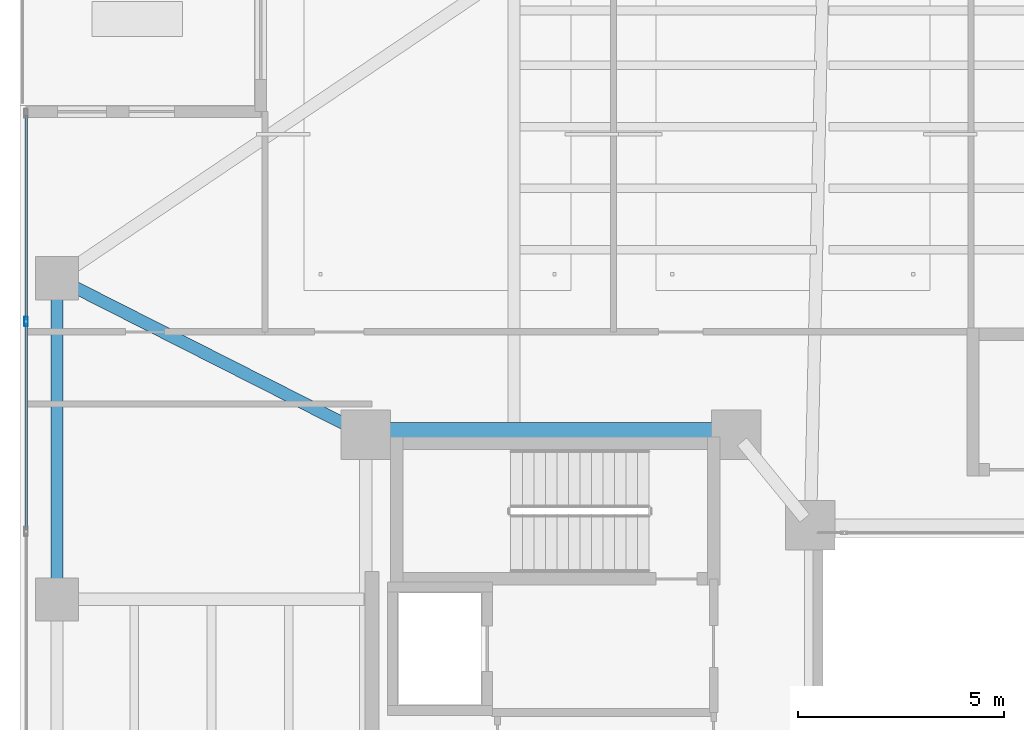
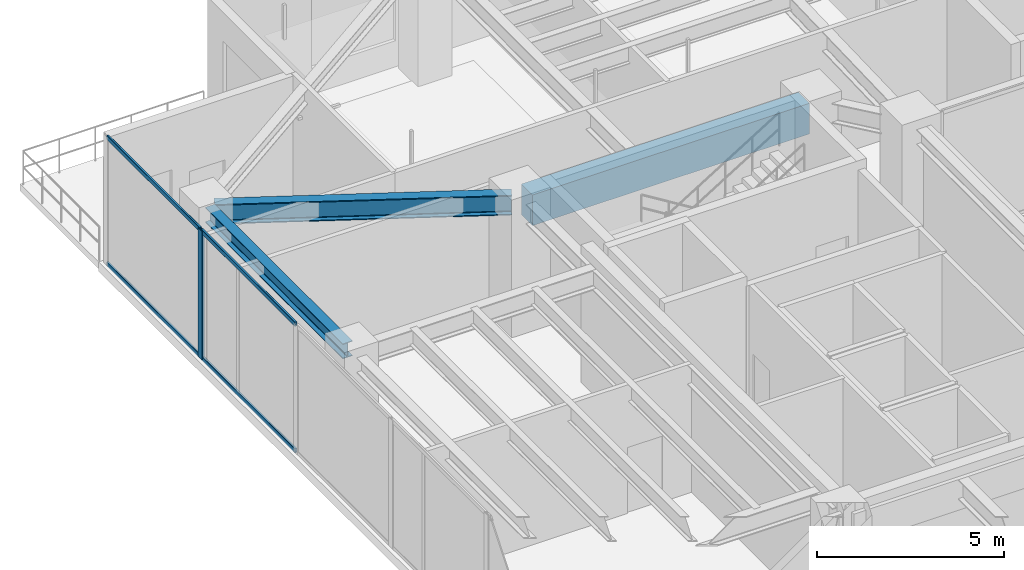
# One storey, part 19 of 38: 5 members, 3 beams, 1 element without a shape of its own.
"""IFC4 building model written with IfcOpenShell, lengths in metres."""

import ifcopenshell
import ifcopenshell.guid

model = None  # the IFC model being written
_history = None  # IfcOwnerHistory: only IFC2X3 demands one
_inside = {}  # id of a spatial element -> (the spatial element, [elements in it])
_under = {}  # id of a project, library or spatial element -> (it, [spatial elements below it])
_declared = {}  # id of a project -> (the project, [libraries it declares])
_typed = {}  # id of a type object -> (the type object, [elements of that type])
_made_of = {}  # id of a material, layer set ... -> (it, [elements and type objects made of it])


def new_model(schema):
    """Start an empty IFC model of exactly this schema.

    Asked for "IFC4X3", IfcOpenShell would pick the latest addendum, in which some entities
    have other attributes; the version numbers below select the first issue.
    IFC2X3 requires an IfcOwnerHistory on every rooted entity: one is made here for all.
    """
    global model, _history
    if schema == "IFC4X3":
        model = ifcopenshell.file(schema_version=(4, 3, 0, 0))
    else:
        model = ifcopenshell.file(schema=schema)
    _inside.clear()
    _under.clear()
    _declared.clear()
    _typed.clear()
    _made_of.clear()
    _history = None
    if model.schema == "IFC2X3":
        org = make("IfcOrganization", Name="unknown")
        user = make(
            "IfcPersonAndOrganization",
            ThePerson=make("IfcPerson", FamilyName="unknown"),
            TheOrganization=org,
        )
        app = make(
            "IfcApplication",
            ApplicationDeveloper=org,
            Version="unknown",
            ApplicationFullName="unknown",
            ApplicationIdentifier="unknown",
        )
        _history = make(
            "IfcOwnerHistory",
            OwningUser=user,
            OwningApplication=app,
            ChangeAction="ADDED",
            CreationDate=0,
        )
    return model


def make(cls, **values):
    """One entity of the class cls with the attributes given. An attribute that is None is left unset."""
    return model.create_entity(
        cls, **{name: value for name, value in values.items() if value is not None}
    )


def rooted(cls, **values):
    """An entity with a GlobalId (a new one), such as an element, a storey or a relation."""
    return make(cls, GlobalId=ifcopenshell.guid.new(), OwnerHistory=_history, **values)


def si_unit(unit_type, name, prefix=None):
    """IfcSIUnit, for example si_unit("LENGTHUNIT", "METRE", prefix="MILLI")."""
    return make("IfcSIUnit", UnitType=unit_type, Prefix=prefix, Name=name)


def assignment(units):
    """IfcUnitAssignment: the units of a project."""
    return None if units is None else make("IfcUnitAssignment", Units=units)


def point(xyz):
    """IfcCartesianPoint."""
    return None if xyz is None else make("IfcCartesianPoint", Coordinates=xyz)


def direction(xyz):
    """IfcDirection."""
    return None if xyz is None else make("IfcDirection", DirectionRatios=xyz)


def frame(location, z_axis=None, x_axis=None):
    """IfcAxis2Placement3D, a coordinate frame: its origin and axes. An axis left out is left unset."""
    return make(
        "IfcAxis2Placement3D",
        Location=point(location),
        Axis=direction(z_axis),
        RefDirection=direction(x_axis),
    )


def frame_2d(location, x_axis=None):
    """IfcAxis2Placement2D, a coordinate frame in the plane: its origin and x axis."""
    return make(
        "IfcAxis2Placement2D", Location=point(location), RefDirection=direction(x_axis)
    )


def origin():
    """The frame at (0, 0, 0) with its axes left unset."""
    return frame((0.0, 0.0, 0.0))


def origin_2d():
    """The frame at (0, 0) in the plane with its x axis left unset."""
    return frame_2d((0.0, 0.0))


def place(relative_to, where):
    """IfcLocalPlacement: puts the frame where relative to a parent placement (None: the world)."""
    return make(
        "IfcLocalPlacement", PlacementRelTo=relative_to, RelativePlacement=where
    )


def context(
    kind, dimensions, precision=None, world=None, true_north=None, identifier=None
):
    """IfcGeometricRepresentationContext, for example the 3D "Model" context."""
    return make(
        "IfcGeometricRepresentationContext",
        ContextIdentifier=identifier,
        ContextType=kind,
        CoordinateSpaceDimension=dimensions,
        Precision=precision,
        WorldCoordinateSystem=world,
        TrueNorth=true_north,
    )


def subcontext(parent, identifier, kind, view, scale=None):
    """IfcGeometricRepresentationSubContext, for example "Body" below "Model"."""
    return make(
        "IfcGeometricRepresentationSubContext",
        ContextIdentifier=identifier,
        ContextType=kind,
        ParentContext=parent,
        TargetScale=scale,
        TargetView=view,
    )


def project(units=None, contexts=None):
    """IfcProject with its units and contexts."""
    return rooted(
        "IfcProject",
        Name="project",
        RepresentationContexts=contexts,
        UnitsInContext=assignment(units),
    )


def spatial(cls, under=None, at=None, **own):
    """A site, building, storey or space (cls), placed at a placement, below another one or the project."""
    s = rooted(cls, ObjectPlacement=at, **own)
    if under is not None:
        _under.setdefault(under.id(), (under, []))[1].append(s)
    return s


def profile(cls, at=None, kind="AREA", **sizes):
    """A parametric profile (cls). Its sizes go by their IFC names, for example OverallWidth=200.0."""
    return make(cls, ProfileType=kind, Position=at, **sizes)


def rectangle(**sizes):
    """IfcRectangleProfileDef."""
    return profile("IfcRectangleProfileDef", **sizes)


def hollow_rectangle(**sizes):
    """IfcRectangleHollowProfileDef."""
    return profile("IfcRectangleHollowProfileDef", **sizes)


def i_section(**sizes):
    """IfcIShapeProfileDef."""
    return profile("IfcIShapeProfileDef", **sizes)


def extrude(swept, where, along, depth):
    """IfcExtrudedAreaSolid: the profile swept, set in the frame where, extruded along a direction by depth."""
    return make(
        "IfcExtrudedAreaSolid",
        SweptArea=swept,
        Position=where,
        ExtrudedDirection=direction(along),
        Depth=depth,
    )


def shape(context_of_items, identifier, shape_type, items):
    """IfcShapeRepresentation: the items that make up one representation, for example the "Body"."""
    return make(
        "IfcShapeRepresentation",
        ContextOfItems=context_of_items,
        RepresentationIdentifier=identifier,
        RepresentationType=shape_type,
        Items=items,
    )


def material(Name=None, Category=None):
    """IfcMaterial."""
    return make("IfcMaterial", Name=Name, Category=Category)


def layer(
    of_material, thickness, ventilated=None, Name=None, Category=None, Priority=None
):
    """IfcMaterialLayer: one layer of a wall or slab, of a material (None: an air gap)."""
    return make(
        "IfcMaterialLayer",
        Material=of_material,
        LayerThickness=thickness,
        IsVentilated=ventilated,
        Name=Name,
        Category=Category,
        Priority=Priority,
    )


def layer_set(layers, Name=None):
    """IfcMaterialLayerSet."""
    return make("IfcMaterialLayerSet", MaterialLayers=layers, LayerSetName=Name)


def material_profile(
    of_material, cross_section, Name=None, Category=None, Priority=None
):
    """IfcMaterialProfile: a cross section and its material."""
    return make(
        "IfcMaterialProfile",
        Name=Name,
        Material=of_material,
        Profile=cross_section,
        Priority=Priority,
        Category=Category,
    )


def profile_set(profiles, Name=None, composite=None):
    """IfcMaterialProfileSet."""
    return make(
        "IfcMaterialProfileSet",
        Name=Name,
        MaterialProfiles=profiles,
        CompositeProfile=composite,
    )


def made_of(thing, what):
    """Note that an element or type object is made of a material, layer set ...; save() writes the relation."""
    if what is not None:
        _made_of.setdefault(what.id(), (what, []))[1].append(thing)
    return thing


def type_object(cls, material=None, **own):
    """A type object (cls), such as IfcWallType, which elements share."""
    return made_of(rooted(cls, **own), material)


def element(
    cls,
    number,
    at=None,
    inside=None,
    cuts=None,
    type_object=None,
    material=None,
    context=None,
    identifier="Body",
    shape_type=None,
    held_by="IfcProductDefinitionShape",
    body=None,
    shapes=None,
    **own,
):
    """One element of the class cls, such as IfcWall. Its Tag is "e" and its number.

    at: its placement. inside: the storey or other place that contains it. cuts: it is an
    opening in that element (IfcRelVoidsElement). A single representation is given by context,
    identifier, shape_type and body (its items); several are given by shapes. held_by: the class
    of the entity that holds the representations. save() writes the other relations.
    """
    e = rooted(cls, Tag="e%d" % number, ObjectPlacement=at, **own)
    if body is not None:
        shapes = [shape(context, identifier, shape_type, body)]
    if shapes is not None:
        e.Representation = make(held_by, Representations=shapes)
    if inside is not None:
        _inside.setdefault(inside.id(), (inside, []))[1].append(e)
    if cuts is not None:
        rooted(
            "IfcRelVoidsElement", RelatingBuildingElement=cuts, RelatedOpeningElement=e
        )
    if type_object is not None:
        _typed.setdefault(type_object.id(), (type_object, []))[1].append(e)
    return made_of(e, material)


def aggregate(whole, parts):
    """IfcRelAggregates: a whole, such as a stair, and the parts it consists of."""
    return rooted("IfcRelAggregates", RelatingObject=whole, RelatedObjects=parts)


def save(model, path):
    """Write the relations noted so far, then the file.

    IfcRelAggregates (storeys below a building ...), IfcRelContainedInSpatialStructure (elements
    in a storey), IfcRelDefinesByType, IfcRelAssociatesMaterial and IfcRelDeclares: one each for
    every whole, place, type object, material and project.
    """
    for whole, parts in _under.values():
        aggregate(whole, parts)
    for where, things in _inside.values():
        rooted(
            "IfcRelContainedInSpatialStructure",
            RelatedElements=things,
            RelatingStructure=where,
        )
    for kind, things in _typed.values():
        rooted("IfcRelDefinesByType", RelatedObjects=things, RelatingType=kind)
    for what, things in _made_of.values():
        rooted("IfcRelAssociatesMaterial", RelatedObjects=things, RelatingMaterial=what)
    for by, libraries in _declared.values():
        rooted("IfcRelDeclares", RelatingContext=by, RelatedDefinitions=libraries)
    model.write(path)


model = new_model("IFC4")

# Units and contexts
model_context = context("Model", 3, precision=1e-05, world=origin(), true_north=direction((0.0, 1.0)))
body_context = subcontext(model_context, "Body", "Model", "MODEL_VIEW")
ifc_project = project(units=[si_unit("LENGTHUNIT", "METRE"), si_unit("AREAUNIT", "SQUARE_METRE"), si_unit("VOLUMEUNIT", "CUBIC_METRE"), si_unit("PLANEANGLEUNIT", "RADIAN"), si_unit("MASSUNIT", "GRAM", prefix="KILO")], contexts=[model_context])

# Site, building, storey
site_placement = place(None, origin())
site = spatial("IfcSite", under=ifc_project, at=site_placement, CompositionType="ELEMENT")
building_placement = place(site_placement, origin())
building = spatial("IfcBuilding", under=site, at=building_placement, Name="Tarnavaz Court Tower", CompositionType="ELEMENT")
storey_placement = place(building_placement, frame((0.0, 0.0, 123.0)))
storey = spatial("IfcBuildingStorey", under=building, at=storey_placement, Name="L33", CompositionType="ELEMENT", Elevation=123.0)

# Beams
ifc_material_1 = material(Name="Concrete C60/75", Category="concrete")
ifc_material_profile_1 = material_profile(ifc_material_1, rectangle(XDim=0.60009765625, YDim=1.0, at=origin_2d()), Name="RC 600X1000")
ifc_profile_set_1 = profile_set([ifc_material_profile_1], Name="Concrete C60/75")
beam_type_1 = type_object("IfcBeamType", Name="BM-CB1000", PredefinedType="LINTEL", material=ifc_profile_set_1)
beam_1_placement = place(storey_placement, frame((-18.3798828125, 10.0, 3.699951171875), z_axis=(1.0, 0.0, 0.0), x_axis=(0.0, 1.0, 0.0)))
element("IfcBeam", 1, at=beam_1_placement, inside=storey, type_object=beam_type_1, Name="L33 Beam IN-CW-NO-CW-NI", PredefinedType="LINTEL", context=body_context, shape_type="SweptSolid", body=[
    extrude(rectangle(XDim=0.60009765625, YDim=1.0, at=origin_2d()), origin(), (0.0, 0.0, 1.0), 8.559814453125),
])
ifc_material_2 = material(Name="Steel S355", Category="steel")
ifc_material_profile_2 = material_profile(ifc_material_2, i_section(OverallWidth=0.300048828125, OverallDepth=0.64990234375, WebThickness=0.01611328125, FlangeThickness=0.031005859375, FilletRadius=0.027099609375, at=origin_2d()), Name="HEB 650")
ifc_profile_set_2 = profile_set([ifc_material_profile_2], Name="Steel S355")
beam_type_2 = type_object("IfcBeamType", Name="BM-G-HEB650", PredefinedType="USERDEFINED", material=ifc_profile_set_2)
beam_2_placement = place(storey_placement, frame((-18.796142578125, 10.099365234375, 3.875), z_axis=(-0.892030669981, 0.451974870776, 0.0), x_axis=(-0.451974870776, -0.892030669981, 0.0)))
element("IfcBeam", 2, at=beam_2_placement, inside=storey, type_object=beam_type_2, Name="L33 Beam RG-16", ObjectType="GIRDER", PredefinedType="USERDEFINED", context=body_context, shape_type="SweptSolid", body=[
    extrude(i_section(OverallWidth=0.300048828125, OverallDepth=0.64990234375, WebThickness=0.01611328125, FlangeThickness=0.031005859375, FilletRadius=0.027099609375, at=origin_2d()), origin(), (0.0, 0.0, 1.0), 7.968017578125),
])
ifc_material_profile_3 = material_profile(ifc_material_2, i_section(OverallWidth=0.300048828125, OverallDepth=0.489990234375, WebThickness=0.011962890625, FlangeThickness=0.02294921875, FilletRadius=0.027099609375, at=origin_2d()), Name="HEA 500")
ifc_profile_set_3 = profile_set([ifc_material_profile_3], Name="Steel S355")
beam_type_3 = type_object("IfcBeamType", Name="BM-SP-HEA500", PredefinedType="SPANDREL", material=ifc_profile_set_3)
beam_3_placement = place(storey_placement, frame((-26.10009765625, 6.219970703125, 3.955078125), z_axis=(0.0, 1.0, 0.0), x_axis=(-1.0, 0.0, 0.0)))
element("IfcBeam", 3, at=beam_3_placement, inside=storey, type_object=beam_type_3, Name="L33 Beam PR-PW-3-PW-4", PredefinedType="SPANDREL", context=body_context, shape_type="SweptSolid", body=[
    extrude(i_section(OverallWidth=0.300048828125, OverallDepth=0.489990234375, WebThickness=0.011962890625, FlangeThickness=0.02294921875, FilletRadius=0.027099609375, at=origin_2d()), origin(), (0.0, 0.0, 1.0), 7.360107421875),
])

# Curtain wall, members
ifc_material_3 = material(Name="Anodised Aluminium 6063-T6 and Solar Low-E Glazing", Category="aluminium")
ifc_layer = layer(ifc_material_3, 0.199951171875)
ifc_layer_set = layer_set([ifc_layer], Name="Anodised Aluminium 6063-T6 and Solar Low-E Glazing")
curtain_wall_type = type_object("IfcCurtainWallType", Name="CW-SYS-05", PredefinedType="NOTDEFINED", material=ifc_layer_set)
curtain_wall_placement = place(storey_placement, origin())
curtain_wall = element("IfcCurtainWall", 4, at=curtain_wall_placement, inside=storey, type_object=curtain_wall_type, Name="L33 Sky-Portal Curtain Wall 2", PredefinedType="NOTDEFINED")
ifc_material_4 = material(Name="Anodised Aluminium 6063-T6", Category="aluminium")
ifc_material_profile_4 = material_profile(ifc_material_4, hollow_rectangle(XDim=0.0849609375, YDim=0.219970703125, WallThickness=0.006103515625, InnerFilletRadius=0.006103515625, OuterFilletRadius=0.011962890625, at=origin_2d()), Name="ALU RHS 220X85X6")
ifc_profile_set_4 = profile_set([ifc_material_profile_4], Name="Anodised Aluminium 6063-T6")
member_type_1 = type_object("IfcMemberType", Name="CW-MUL-220", PredefinedType="MULLION", material=ifc_profile_set_4)
member_1_placement = place(storey_placement, frame((-26.85009765625, 12.75, 0.0), z_axis=(0.0, 0.0, 1.0), x_axis=(-1.0, 0.0, 0.0)))
member_1 = element("IfcMember", 5, at=member_1_placement, type_object=member_type_1, Name="CW mullion 7", PredefinedType="MULLION", context=body_context, shape_type="SweptSolid", body=[
    extrude(hollow_rectangle(XDim=0.0849609375, YDim=0.219970703125, WallThickness=0.006103515625, InnerFilletRadius=0.006103515625, OuterFilletRadius=0.011962890625, at=origin_2d()), origin(), (0.0, 0.0, 1.0), 4.199951171875),
])
ifc_material_profile_5 = material_profile(ifc_material_4, hollow_rectangle(XDim=0.06494140625, YDim=0.139892578125, WallThickness=0.00390625, InnerFilletRadius=0.00390625, OuterFilletRadius=0.008056640625, at=origin_2d()), Name="ALU RHS 140X65X4")
ifc_profile_set_5 = profile_set([ifc_material_profile_5], Name="Anodised Aluminium 6063-T6")
member_type_2 = type_object("IfcMemberType", Name="CW-TRN-140", PredefinedType="USERDEFINED", material=ifc_profile_set_5)
member_2_placement = place(storey_placement, frame((-26.85009765625, 7.6923828125, 0.032470703125), z_axis=(0.0, 1.0, 0.0), x_axis=(-1.0, 0.0, 0.0)))
member_2 = element("IfcMember", 6, at=member_2_placement, type_object=member_type_2, Name="CW transom 6.1", ObjectType="TRANSOM", PredefinedType="USERDEFINED", context=body_context, shape_type="SweptSolid", body=[
    extrude(hollow_rectangle(XDim=0.06494140625, YDim=0.139892578125, WallThickness=0.00390625, InnerFilletRadius=0.00390625, OuterFilletRadius=0.008056640625, at=origin_2d()), origin(), (0.0, 0.0, 1.0), 5.01513671875),
])
member_3_placement = place(storey_placement, frame((-26.85009765625, 7.6923828125, 4.16748046875), z_axis=(0.0, 1.0, 0.0), x_axis=(-1.0, 0.0, 0.0)))
member_3 = element("IfcMember", 7, at=member_3_placement, type_object=member_type_2, Name="CW transom 6.2", ObjectType="TRANSOM", PredefinedType="USERDEFINED", context=body_context, shape_type="SweptSolid", body=[
    extrude(hollow_rectangle(XDim=0.06494140625, YDim=0.139892578125, WallThickness=0.00390625, InnerFilletRadius=0.00390625, OuterFilletRadius=0.008056640625, at=origin_2d()), origin(), (0.0, 0.0, 1.0), 5.01513671875),
])
member_4_placement = place(storey_placement, frame((-26.85009765625, 12.79248046875, 0.032470703125), z_axis=(0.0, 1.0, 0.0), x_axis=(-1.0, 0.0, 0.0)))
member_4 = element("IfcMember", 8, at=member_4_placement, type_object=member_type_2, Name="CW transom 7.1", ObjectType="TRANSOM", PredefinedType="USERDEFINED", context=body_context, shape_type="SweptSolid", body=[
    extrude(hollow_rectangle(XDim=0.06494140625, YDim=0.139892578125, WallThickness=0.00390625, InnerFilletRadius=0.00390625, OuterFilletRadius=0.008056640625, at=origin_2d()), origin(), (0.0, 0.0, 1.0), 4.972412109375),
])
member_5_placement = place(storey_placement, frame((-26.85009765625, 12.79248046875, 4.16748046875), z_axis=(0.0, 1.0, 0.0), x_axis=(-1.0, 0.0, 0.0)))
member_5 = element("IfcMember", 9, at=member_5_placement, type_object=member_type_2, Name="CW transom 7.2", ObjectType="TRANSOM", PredefinedType="USERDEFINED", context=body_context, shape_type="SweptSolid", body=[
    extrude(hollow_rectangle(XDim=0.06494140625, YDim=0.139892578125, WallThickness=0.00390625, InnerFilletRadius=0.00390625, OuterFilletRadius=0.008056640625, at=origin_2d()), origin(), (0.0, 0.0, 1.0), 4.972412109375),
])
aggregate(curtain_wall, [member_1, member_2, member_3, member_4, member_5])

save(model, "model.ifc")
